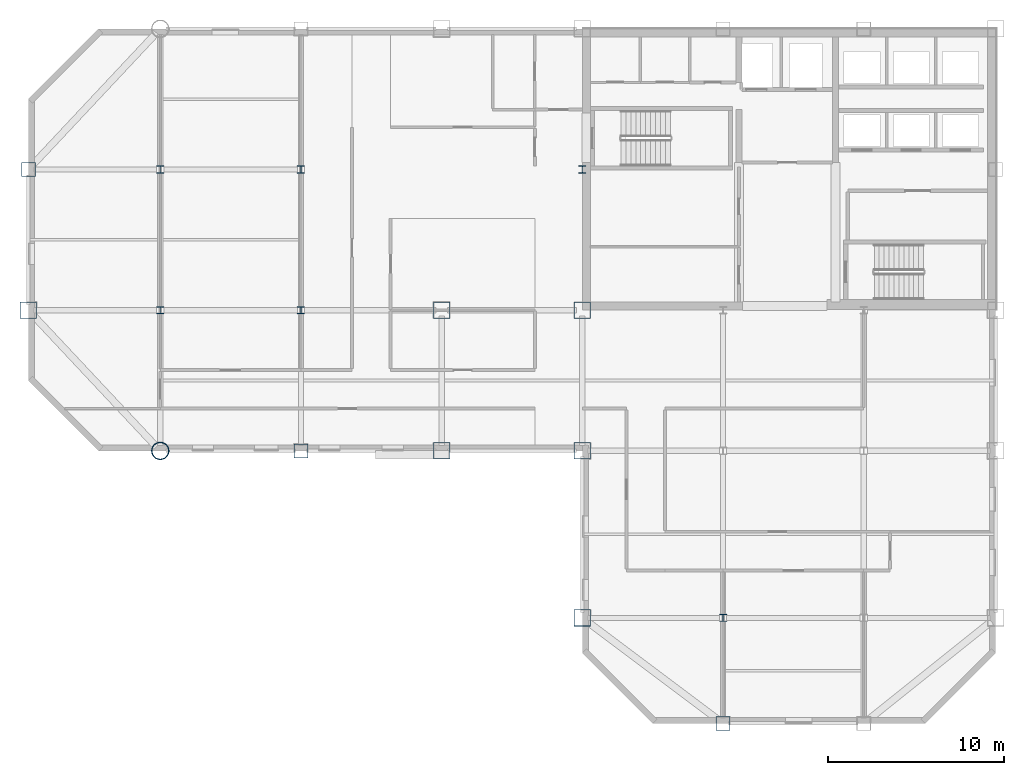
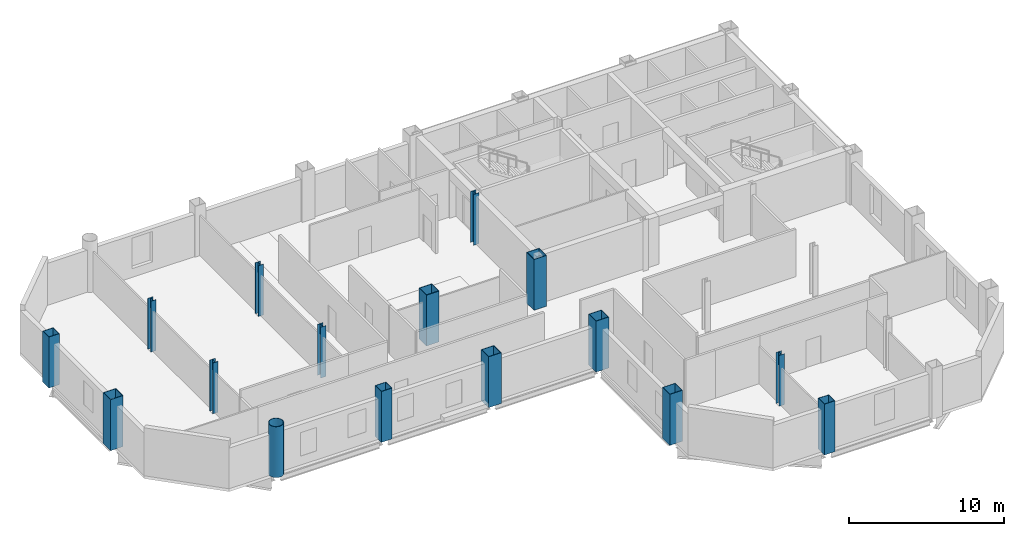
# One storey, part 1 of 9: 16 columns.
"""IFC4 building model written with IfcOpenShell, lengths in metres."""

from ifc_helpers import new_model, si_unit, direction, frame, origin, origin_2d, place, context, subcontext, project, spatial, hollow_rectangle, hollow_circle, i_section, extrude, material, material_profile, profile_set, type_object, element, save


model = new_model("IFC4")

# Units and contexts
model_context = context("Model", 3, precision=1e-05, world=origin(), true_north=direction((0.0, 1.0)))
body_context = subcontext(model_context, "Body", "Model", "MODEL_VIEW")
ifc_project = project(units=[si_unit("LENGTHUNIT", "METRE"), si_unit("AREAUNIT", "SQUARE_METRE"), si_unit("VOLUMEUNIT", "CUBIC_METRE"), si_unit("PLANEANGLEUNIT", "RADIAN"), si_unit("MASSUNIT", "GRAM", prefix="KILO")], contexts=[model_context])

# Site, building, storey
site_placement = place(None, origin())
site = spatial("IfcSite", under=ifc_project, at=site_placement, CompositionType="ELEMENT")
building_placement = place(site_placement, origin())
building = spatial("IfcBuilding", under=site, at=building_placement, Name="Qianrong Seaharbour Tower", CompositionType="ELEMENT")
storey_placement = place(building_placement, frame((0.0, 0.0, 221.800048828125)))
storey = spatial("IfcBuildingStorey", under=building, at=storey_placement, Name="L53", CompositionType="ELEMENT", Elevation=221.800048828125)

# Columns
ifc_material = material(Name="Structural steel SN490B", Category="steel")
ifc_material_profile_1 = material_profile(ifc_material, hollow_rectangle(XDim=0.949951171875, YDim=0.949951171875, WallThickness=0.035888671875, at=origin_2d()), Name="BOX950x950x36")
ifc_profile_set_1 = profile_set([ifc_material_profile_1], Name="Structural steel SN490B")
column_type_1 = type_object("IfcColumnType", Name="COL-CFT-950", PredefinedType="COLUMN", material=ifc_profile_set_1)
for number, where, z_axis, x_axis, name in (
    (1, (9.0, 36.0, 0.0), (0.0, 0.0, 1.0), (1.0, 0.0, 0.0), "L53 Column MC-4 at G2/GF"),
    (2, (32.5, 28.0, 0.0), (0.0, 0.0, 1.0), (1.0, 0.0, 0.0), "L53 Column MC-4 at G5/GE"),
    (3, (32.5, 36.0, 0.0), (0.0, 0.0, 1.0), (1.0, 0.0, 0.0), "L53 Column MC-4 at G5/GF"),
    (4, (40.5, 18.5, 0.0), (0.0, 0.0, 1.0), (1.0, 0.0, 0.0), "L53 Column MC-4 at G6/GD"),
    (5, (40.5, 28.0, 0.0), (0.0, 0.0, 1.0), (1.0, 0.0, 0.0), "L53 Column MC-4 at G6/GE"),
    (6, (40.5, 36.0, 0.0), (0.0, 0.0, 1.0), (1.0, 0.0, 0.0), "L53 Column MC-4 at G6/GF"),
):
    element("IfcColumn", number, at=place(storey_placement, frame(where, z_axis=z_axis, x_axis=x_axis)), inside=storey, type_object=column_type_1, Name=name, PredefinedType="COLUMN", context=body_context, shape_type="SweptSolid", body=[
        extrude(hollow_rectangle(XDim=0.949951171875, YDim=0.949951171875, WallThickness=0.035888671875, at=origin_2d()), origin(), (0.0, 0.0, 1.0), 4.0),
    ])
ifc_material_profile_2 = material_profile(ifc_material, hollow_circle(Radius=0.5, WallThickness=0.035888671875, at=origin_2d()), Name="CHS1000x36")
ifc_profile_set_2 = profile_set([ifc_material_profile_2], Name="Structural steel SN490B")
column_type_2 = type_object("IfcColumnType", Name="COL-CHS-1000", PredefinedType="COLUMN", material=ifc_profile_set_2)
column_placement = place(storey_placement, frame((16.5, 28.0, 0.0), z_axis=(0.0, 0.0, 1.0), x_axis=(1.0, 0.0, 0.0)))
element("IfcColumn", 7, at=column_placement, inside=storey, type_object=column_type_2, Name="L53 Column CC-2 at G3/GE", PredefinedType="COLUMN", context=body_context, shape_type="SweptSolid", body=[
    extrude(hollow_circle(Radius=0.5, WallThickness=0.035888671875, at=origin_2d()), origin(), (0.0, 0.0, 1.0), 4.0),
])
ifc_material_profile_3 = material_profile(ifc_material, i_section(OverallWidth=0.39990234375, OverallDepth=0.39990234375, WebThickness=0.012939453125, FlangeThickness=0.02099609375, FilletRadius=0.02197265625, at=origin_2d()), Name="H400x400x13x21")
ifc_profile_set_3 = profile_set([ifc_material_profile_3], Name="Structural steel SN490B")
column_type_3 = type_object("IfcColumnType", Name="COL-INT-H400", PredefinedType="COLUMN", material=ifc_profile_set_3)
for number, where, z_axis, x_axis, name in (
    (8, (16.5, 36.0, 0.0), (0.0, 0.0, 1.0), (1.0, 0.0, 0.0), "L53 Column IC-3 at G3/GF"),
    (9, (16.5, 44.0, 0.0), (0.0, 0.0, 1.0), (1.0, 0.0, 0.0), "L53 Column IC-3 at G3/GG"),
    (10, (24.5, 36.0, 0.0), (0.0, 0.0, 1.0), (1.0, 0.0, 0.0), "L53 Column IC-3 at G4/GF"),
    (11, (24.5, 44.0, 0.0), (0.0, 0.0, 1.0), (1.0, 0.0, 0.0), "L53 Column IC-3 at G4/GG"),
    (12, (40.5, 44.0, 0.0), (0.0, 0.0, 1.0), (1.0, 0.0, 0.0), "L53 Column IC-3 at G6/GG"),
    (13, (48.5, 18.5, 0.0), (0.0, 0.0, 1.0), (1.0, 0.0, 0.0), "L53 Column IC-3 at G7/GD"),
):
    element("IfcColumn", number, at=place(storey_placement, frame(where, z_axis=z_axis, x_axis=x_axis)), inside=storey, type_object=column_type_3, Name=name, PredefinedType="COLUMN", context=body_context, shape_type="SweptSolid", body=[
        extrude(i_section(OverallWidth=0.39990234375, OverallDepth=0.39990234375, WebThickness=0.012939453125, FlangeThickness=0.02099609375, FilletRadius=0.02197265625, at=origin_2d()), origin(), (0.0, 0.0, 1.0), 4.0),
    ])
ifc_material_profile_4 = material_profile(ifc_material, hollow_rectangle(XDim=0.800048828125, YDim=0.800048828125, WallThickness=0.031982421875, at=origin_2d()), Name="BOX800x800x32")
ifc_profile_set_4 = profile_set([ifc_material_profile_4], Name="Structural steel SN490B")
column_type_4 = type_object("IfcColumnType", Name="COL-PER-800", PredefinedType="COLUMN", material=ifc_profile_set_4)
for number, where, z_axis, x_axis, name in (
    (14, (9.0, 44.0, 0.0), (0.0, 0.0, 1.0), (1.0, 0.0, 0.0), "L53 Column PC-3 at G2/GG"),
    (15, (24.5, 28.0, 0.0), (0.0, 0.0, 1.0), (1.0, 0.0, 0.0), "L53 Column PC-3 at G4/GE"),
    (16, (48.5, 12.5, 0.0), (0.0, 0.0, 1.0), (1.0, 0.0, 0.0), "L53 Column PC-3 at G7/GC"),
):
    element("IfcColumn", number, at=place(storey_placement, frame(where, z_axis=z_axis, x_axis=x_axis)), inside=storey, type_object=column_type_4, Name=name, PredefinedType="COLUMN", context=body_context, shape_type="SweptSolid", body=[
        extrude(hollow_rectangle(XDim=0.800048828125, YDim=0.800048828125, WallThickness=0.031982421875, at=origin_2d()), origin(), (0.0, 0.0, 1.0), 4.0),
    ])

save(model, "model.ifc")
